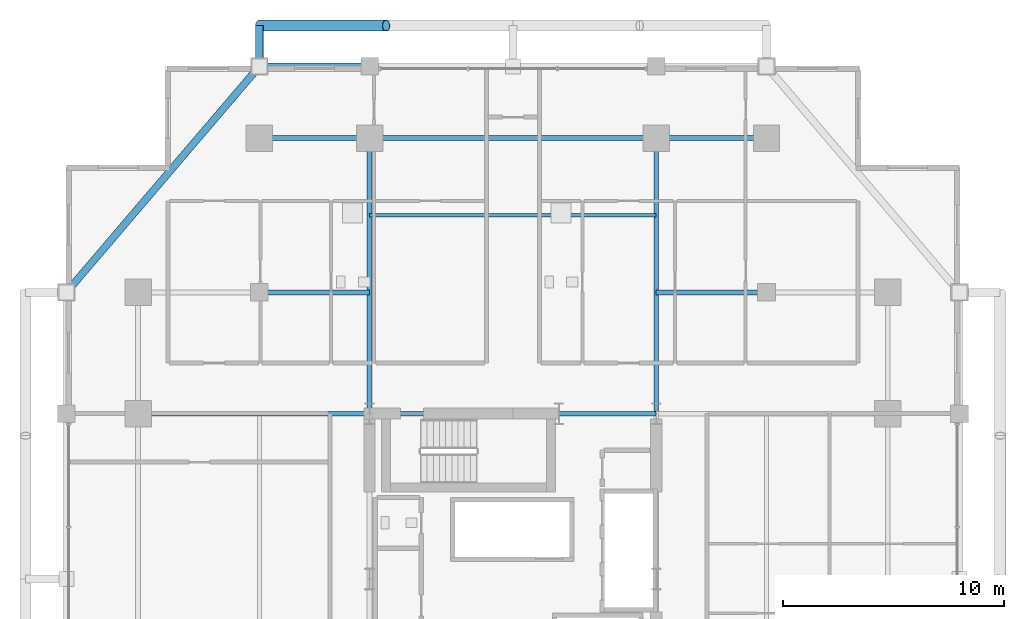
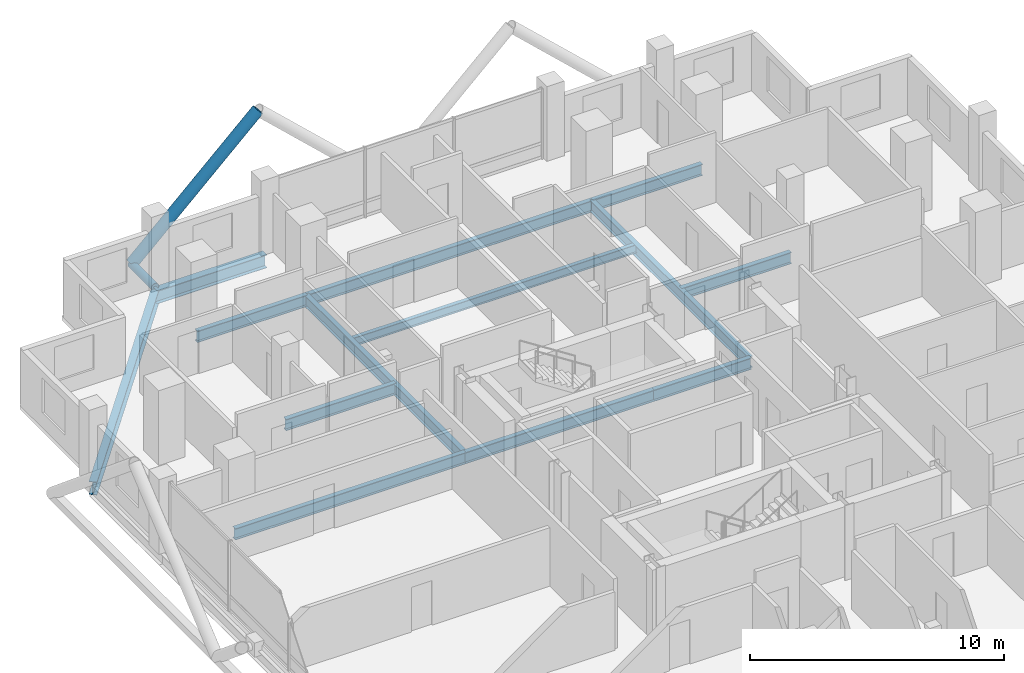
# One storey, part 13 of 25: 13 beams, 2 members.
"""IFC4 building model written with IfcOpenShell, lengths in metres."""

from ifc_helpers import new_model, si_unit, direction, frame, origin, origin_2d, place, context, subcontext, project, spatial, hollow_circle, i_section, extrude, material, material_profile, profile_set, type_object, element, save


model = new_model("IFC4")

# Units and contexts
model_context = context("Model", 3, precision=1e-05, world=origin(), true_north=direction((0.0, 1.0)))
body_context = subcontext(model_context, "Body", "Model", "MODEL_VIEW")
ifc_project = project(units=[si_unit("LENGTHUNIT", "METRE"), si_unit("AREAUNIT", "SQUARE_METRE"), si_unit("VOLUMEUNIT", "CUBIC_METRE"), si_unit("PLANEANGLEUNIT", "RADIAN"), si_unit("MASSUNIT", "GRAM", prefix="KILO")], contexts=[model_context])

# Site, building, storey
site_placement = place(None, origin())
site = spatial("IfcSite", under=ifc_project, at=site_placement, CompositionType="ELEMENT")
building_placement = place(site_placement, origin())
building = spatial("IfcBuilding", under=site, at=building_placement, Name="Barlavira Tower and Art Museum", CompositionType="ELEMENT")
storey_placement = place(building_placement, frame((0.0, 0.0, 144.0)))
storey = spatial("IfcBuildingStorey", under=building, at=storey_placement, Name="L36", CompositionType="ELEMENT", Elevation=144.0)

# Members
ifc_material = material(Name="Steel S355", Category="steel")
ifc_material_profile_1 = material_profile(ifc_material, hollow_circle(Radius=0.25390625, WallThickness=0.022216796875, at=origin_2d()), Name="CHS 508.0x22.2")
ifc_profile_set_1 = profile_set([ifc_material_profile_1], Name="Steel S355")
member_type_1 = type_object("IfcMemberType", Name="Pale-Metal Exoskeleton Diagrid Tube CHS 508x22 Steel S355", PredefinedType="BRACE", material=ifc_profile_set_1)
member_1_placement = place(storey_placement, frame((-11.5, 25.10009765625, -0.1201171875), z_axis=(0.728934650808, 0.0, 0.684583285548), x_axis=(0.0, 1.0, 0.0)))
element("IfcMember", 1, at=member_1_placement, inside=storey, type_object=member_type_1, Name="L36 Exoskeleton Diagrid Tube N", PredefinedType="BRACE", context=body_context, shape_type="SweptSolid", body=[
    extrude(hollow_circle(Radius=0.25390625, WallThickness=0.022216796875, at=origin_2d()), origin(), (0.0, 0.0, 1.0), 7.88818359375),
])
ifc_material_profile_2 = material_profile(ifc_material, hollow_circle(Radius=0.177734375, WallThickness=0.01611328125, at=origin_2d()), Name="CHS 355.6x16.0")
ifc_profile_set_2 = profile_set([ifc_material_profile_2], Name="Steel S355")
member_type_2 = type_object("IfcMemberType", Name="Pale-Metal Exoskeleton Tie Strut CHS 356x16 Steel S355", PredefinedType="STRUT", material=ifc_profile_set_2)
member_2_placement = place(storey_placement, frame((-11.5, 25.10009765625, -0.1201171875), z_axis=(0.0, -1.0, 0.0), x_axis=(1.0, 0.0, 0.0)))
element("IfcMember", 2, at=member_2_placement, inside=storey, type_object=member_type_2, Name="L36 Exoskeleton Tie Strut N1", PredefinedType="STRUT", context=body_context, shape_type="SweptSolid", body=[
    extrude(hollow_circle(Radius=0.177734375, WallThickness=0.01611328125, at=origin_2d()), origin(), (0.0, 0.0, 1.0), 1.85009765625),
])

# Beams
ifc_material_profile_3 = material_profile(ifc_material, i_section(OverallWidth=0.327880859375, OverallDepth=0.62890625, WebThickness=0.013916015625, FlangeThickness=0.021484375, at=origin_2d()), Name="W610x174.0")
ifc_profile_set_3 = profile_set([ifc_material_profile_3], Name="Steel S355")
beam_type_1 = type_object("IfcBeamType", Name="Perimeter Spandrel Edge Beam W610x174 Steel S355", PredefinedType="SPANDREL", material=ifc_profile_set_3)
beam_1_placement = place(storey_placement, frame((-11.5, 23.25, -0.534423828125), z_axis=(1.0, 0.0, 0.0), x_axis=(0.0, 1.0, 0.0)))
element("IfcBeam", 3, at=beam_1_placement, inside=storey, type_object=beam_type_1, Name="L36 Spandrel 11", PredefinedType="SPANDREL", context=body_context, shape_type="SweptSolid", body=[
    extrude(i_section(OverallWidth=0.327880859375, OverallDepth=0.62890625, WebThickness=0.013916015625, FlangeThickness=0.021484375, at=origin_2d()), origin(), (0.0, 0.0, 1.0), 5.0),
])
beam_2_placement = place(storey_placement, frame((-11.5, 23.25, -0.534423828125), z_axis=(-0.649262379928, -0.760564502202, 0.0), x_axis=(0.760564502202, -0.649262379928, 0.0)))
element("IfcBeam", 4, at=beam_2_placement, inside=storey, type_object=beam_type_1, Name="L36 Spandrel 12", PredefinedType="SPANDREL", context=body_context, shape_type="SweptSolid", body=[
    extrude(i_section(OverallWidth=0.327880859375, OverallDepth=0.62890625, WebThickness=0.013916015625, FlangeThickness=0.021484375, at=origin_2d()), origin(), (0.0, 0.0, 1.0), 13.476806640625),
])
ifc_material_profile_4 = material_profile(ifc_material, i_section(OverallWidth=0.214111328125, OverallDepth=0.549072265625, WebThickness=0.0146484375, FlangeThickness=0.023681640625, at=origin_2d()), Name="W530x138.0")
ifc_profile_set_4 = profile_set([ifc_material_profile_4], Name="Steel S355")
beam_type_2 = type_object("IfcBeamType", Name="Zone 1 Primary Floor Girder W530x138 Steel S355", PredefinedType="BEAM", material=ifc_profile_set_4)
beam_3_placement = place(storey_placement, frame((-6.5, 7.5, -0.494384765625), z_axis=(1.0, 0.0, 0.0), x_axis=(0.0, 1.0, 0.0)))
element("IfcBeam", 5, at=beam_3_placement, inside=storey, type_object=beam_type_2, Name="L36 Girder C-N1", PredefinedType="BEAM", context=body_context, shape_type="SweptSolid", body=[
    extrude(i_section(OverallWidth=0.214111328125, OverallDepth=0.549072265625, WebThickness=0.0146484375, FlangeThickness=0.023681640625, at=origin_2d()), origin(), (0.0, 0.0, 1.0), 8.580078125),
])
beam_4_placement = place(storey_placement, frame((2.080078125, 7.5, -0.494384765625), z_axis=(1.0, 0.0, 0.0), x_axis=(0.0, 1.0, 0.0)))
element("IfcBeam", 6, at=beam_4_placement, inside=storey, type_object=beam_type_2, Name="L36 Girder C-N2", PredefinedType="BEAM", context=body_context, shape_type="SweptSolid", body=[
    extrude(i_section(OverallWidth=0.214111328125, OverallDepth=0.549072265625, WebThickness=0.0146484375, FlangeThickness=0.023681640625, at=origin_2d()), origin(), (0.0, 0.0, 1.0), 4.419921875),
])
beam_5_placement = place(storey_placement, frame((-11.5, 20.0, -0.494384765625), z_axis=(1.0, 0.0, 0.0), x_axis=(0.0, 1.0, 0.0)))
element("IfcBeam", 7, at=beam_5_placement, inside=storey, type_object=beam_type_2, Name="L36 Girder M-N1", PredefinedType="BEAM", context=body_context, shape_type="SweptSolid", body=[
    extrude(i_section(OverallWidth=0.214111328125, OverallDepth=0.549072265625, WebThickness=0.0146484375, FlangeThickness=0.023681640625, at=origin_2d()), origin(), (0.0, 0.0, 1.0), 5.0),
])
beam_6_placement = place(storey_placement, frame((-6.5, 20.0, -0.494384765625), z_axis=(1.0, 0.0, 0.0), x_axis=(0.0, 1.0, 0.0)))
element("IfcBeam", 8, at=beam_6_placement, inside=storey, type_object=beam_type_2, Name="L36 Girder M-N2", PredefinedType="BEAM", context=body_context, shape_type="SweptSolid", body=[
    extrude(i_section(OverallWidth=0.214111328125, OverallDepth=0.549072265625, WebThickness=0.0146484375, FlangeThickness=0.023681640625, at=origin_2d()), origin(), (0.0, 0.0, 1.0), 13.0),
])
beam_7_placement = place(storey_placement, frame((6.5, 20.0, -0.494384765625), z_axis=(1.0, 0.0, 0.0), x_axis=(0.0, 1.0, 0.0)))
element("IfcBeam", 9, at=beam_7_placement, inside=storey, type_object=beam_type_2, Name="L36 Girder M-N3", PredefinedType="BEAM", context=body_context, shape_type="SweptSolid", body=[
    extrude(i_section(OverallWidth=0.214111328125, OverallDepth=0.549072265625, WebThickness=0.0146484375, FlangeThickness=0.023681640625, at=origin_2d()), origin(), (0.0, 0.0, 1.0), 5.0),
])
for number, where, z_axis, x_axis, name in (
    (10, (-6.5, 7.5, -0.494384765625), (0.0, 1.0, 0.0), (-1.0, 0.0, 0.0), "L36 Girder R-N1"),
    (11, (6.5, 7.5, -0.494384765625), (0.0, 1.0, 0.0), (-1.0, 0.0, 0.0), "L36 Girder R-N2"),
):
    element("IfcBeam", number, at=place(storey_placement, frame(where, z_axis=z_axis, x_axis=x_axis)), inside=storey, type_object=beam_type_2, Name=name, PredefinedType="BEAM", context=body_context, shape_type="SweptSolid", body=[
        extrude(i_section(OverallWidth=0.214111328125, OverallDepth=0.549072265625, WebThickness=0.0146484375, FlangeThickness=0.023681640625, at=origin_2d()), origin(), (0.0, 0.0, 1.0), 12.5),
    ])
beam_8_placement = place(storey_placement, frame((-17.0, 7.5, -0.494384765625), z_axis=(1.0, 0.0, 0.0), x_axis=(0.0, 1.0, 0.0)))
element("IfcBeam", 12, at=beam_8_placement, inside=storey, type_object=beam_type_2, Name="L36 Girder R-W2", PredefinedType="BEAM", context=body_context, shape_type="SweptSolid", body=[
    extrude(i_section(OverallWidth=0.214111328125, OverallDepth=0.549072265625, WebThickness=0.0146484375, FlangeThickness=0.023681640625, at=origin_2d()), origin(), (0.0, 0.0, 1.0), 10.5),
])
for number, where, z_axis, x_axis, name in (
    (13, (-11.5, 13.0, -0.494384765625), (1.0, 0.0, 0.0), (0.0, 1.0, 0.0), "L36 Girder I-N2"),
    (14, (6.5, 13.0, -0.494384765625), (1.0, 0.0, 0.0), (0.0, 1.0, 0.0), "L36 Girder I-N3"),
):
    element("IfcBeam", number, at=place(storey_placement, frame(where, z_axis=z_axis, x_axis=x_axis)), inside=storey, type_object=beam_type_2, Name=name, PredefinedType="BEAM", context=body_context, shape_type="SweptSolid", body=[
        extrude(i_section(OverallWidth=0.214111328125, OverallDepth=0.549072265625, WebThickness=0.0146484375, FlangeThickness=0.023681640625, at=origin_2d()), origin(), (0.0, 0.0, 1.0), 5.0),
    ])
ifc_material_profile_5 = material_profile(ifc_material, i_section(OverallWidth=0.179931640625, OverallDepth=0.4130859375, WebThickness=0.009765625, FlangeThickness=0.01611328125, at=origin_2d()), Name="W410x75.0")
ifc_profile_set_5 = profile_set([ifc_material_profile_5], Name="Steel S355")
beam_type_3 = type_object("IfcBeamType", Name="Zone 2 Composite Floor Joist W410x75 Steel S355", PredefinedType="JOIST", material=ifc_profile_set_5)
beam_9_placement = place(storey_placement, frame((-6.5, 16.5, -0.426513671875), z_axis=(1.0, 0.0, 0.0), x_axis=(0.0, 1.0, 0.0)))
element("IfcBeam", 15, at=beam_9_placement, inside=storey, type_object=beam_type_3, Name="L36 Joist C2", PredefinedType="JOIST", context=body_context, shape_type="SweptSolid", body=[
    extrude(i_section(OverallWidth=0.179931640625, OverallDepth=0.4130859375, WebThickness=0.009765625, FlangeThickness=0.01611328125, at=origin_2d()), origin(), (0.0, 0.0, 1.0), 13.0),
])

save(model, "model.ifc")
